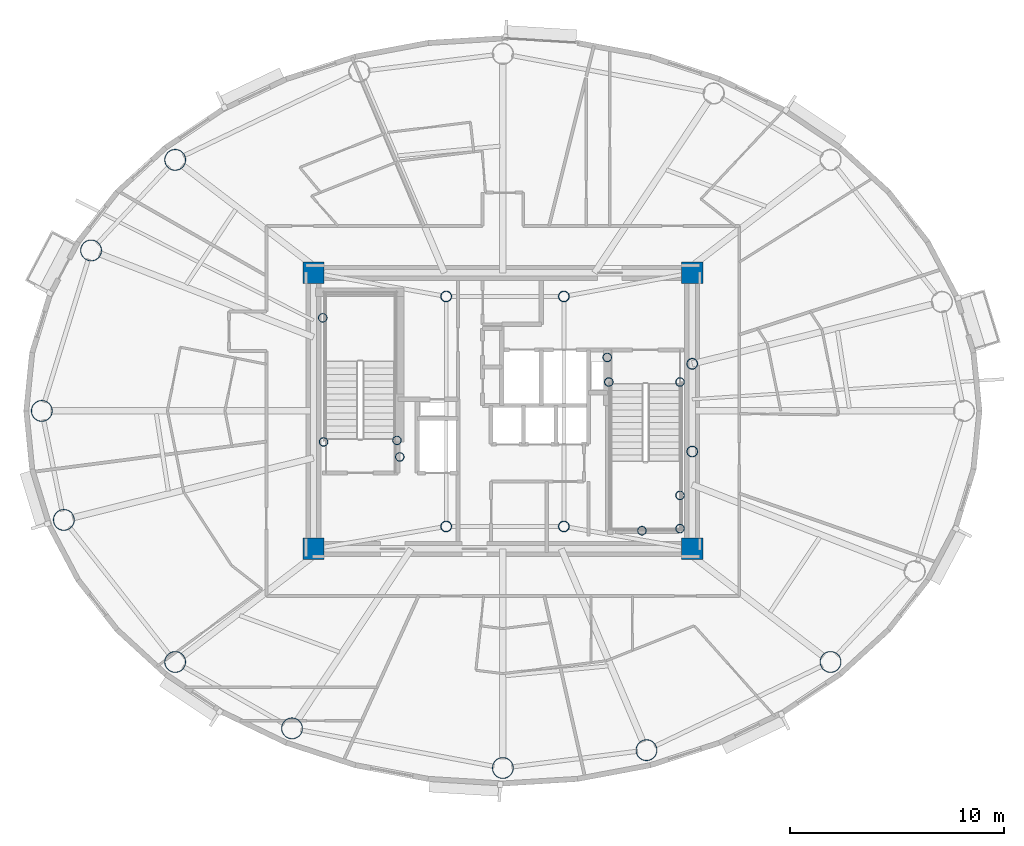
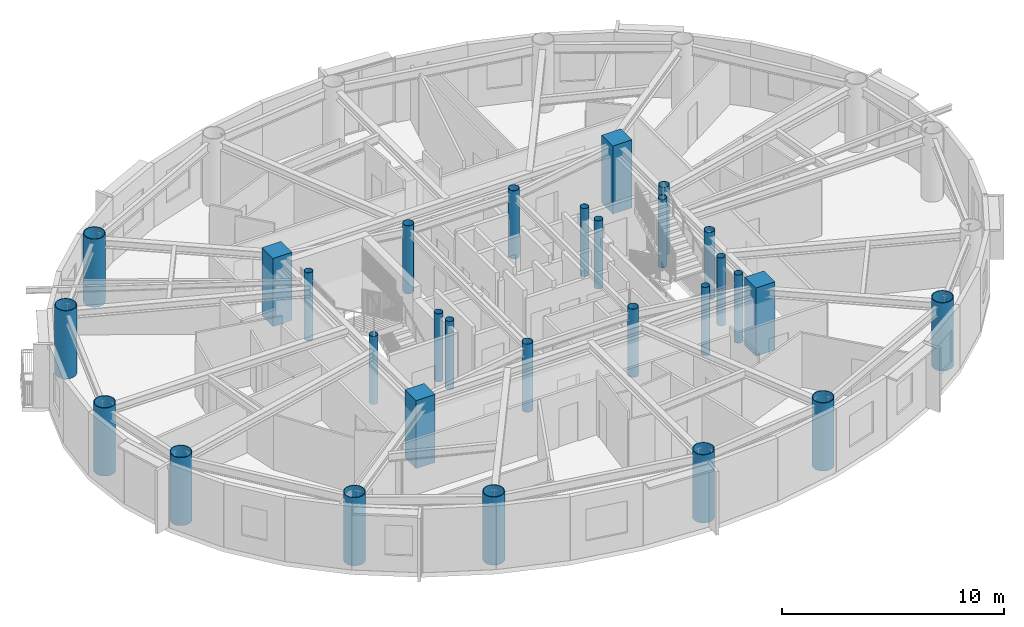
# One storey, part 1 of 18: 29 columns.
"""IFC4 building model written with IfcOpenShell, lengths in metres."""

from ifc_helpers import new_model, si_unit, direction, frame, origin, origin_2d, place, context, subcontext, project, spatial, rectangle, hollow_circle, extrude, material, material_profile, profile_set, type_object, element, save


model = new_model("IFC4")

# Units and contexts
model_context = context("Model", 3, precision=1e-05, world=origin(), true_north=direction((0.0, 1.0)))
body_context = subcontext(model_context, "Body", "Model", "MODEL_VIEW")
ifc_project = project(units=[si_unit("LENGTHUNIT", "METRE"), si_unit("AREAUNIT", "SQUARE_METRE"), si_unit("VOLUMEUNIT", "CUBIC_METRE"), si_unit("PLANEANGLEUNIT", "RADIAN"), si_unit("MASSUNIT", "GRAM", prefix="KILO")], contexts=[model_context])

# Site, building, storey
site_placement = place(None, origin())
site = spatial("IfcSite", under=ifc_project, at=site_placement, CompositionType="ELEMENT")
building_placement = place(site_placement, origin())
building = spatial("IfcBuilding", under=site, at=building_placement, Name="Linh Dai School and Residence Tower", CompositionType="ELEMENT")
storey_placement = place(building_placement, frame((0.0, 0.0, 295.5)))
storey = spatial("IfcBuildingStorey", under=building, at=storey_placement, Name="L73", CompositionType="ELEMENT", Elevation=295.5)

# Columns
ifc_material_1 = material(Name="Concrete B45 (C35/45)", Category="concrete")
ifc_material_profile_1 = material_profile(ifc_material_1, rectangle(XDim=1.0, YDim=1.0, at=origin_2d()), Name="RC 1000x1000")
ifc_profile_set_1 = profile_set([ifc_material_profile_1], Name="Concrete B45 (C35/45)")
column_type_1 = type_object("IfcColumnType", Name="COL-CC3", PredefinedType="COLUMN", material=ifc_profile_set_1)
for number, where, z_axis, x_axis, name in (
    (1, (27.14990234375, 20.550048828125, 0.0), (0.0, 0.0, 1.0), (1.0, 0.0, 0.0), "L73 Core Corner Pier CC1"),
    (2, (44.85009765625, 20.550048828125, 0.0), (0.0, 0.0, 1.0), (1.0, 0.0, 0.0), "L73 Core Corner Pier CC2"),
    (3, (44.85009765625, 33.449951171875, 0.0), (0.0, 0.0, 1.0), (1.0, 0.0, 0.0), "L73 Core Corner Pier CC3"),
    (4, (27.14990234375, 33.449951171875, 0.0), (0.0, 0.0, 1.0), (1.0, 0.0, 0.0), "L73 Core Corner Pier CC4"),
):
    element("IfcColumn", number, at=place(storey_placement, frame(where, z_axis=z_axis, x_axis=x_axis)), inside=storey, type_object=column_type_1, Name=name, PredefinedType="COLUMN", context=body_context, shape_type="SweptSolid", body=[
        extrude(rectangle(XDim=1.0, YDim=1.0, at=origin_2d()), origin(), (0.0, 0.0, 1.0), 3.75),
    ])
ifc_material_2 = material(Name="Structural Steel S355JR", Category="steel")
ifc_material_profile_2 = material_profile(ifc_material_2, hollow_circle(Radius=0.203125, WallThickness=0.01611328125, at=origin_2d()), Name="CHS 406.4x16")
ifc_profile_set_2 = profile_set([ifc_material_profile_2], Name="Structural Steel S355JR")
column_type_2 = type_object("IfcColumnType", Name="COL-EC", PredefinedType="COLUMN", material=ifc_profile_set_2)
for number, where, z_axis, x_axis, name in (
    (5, (27.580078125, 31.35009765625, 0.0), (0.0, 0.0, 1.0), (1.0, 0.0, 0.0), "L73 Stair Shaft Landing Support Pier ST1NW"),
    (6, (31.050048828125, 25.6201171875, 0.0), (0.0, 0.0, 1.0), (1.0, 0.0, 0.0), "L73 Stair Shaft Landing Support Pier ST1SE"),
    (7, (31.179931640625, 24.85009765625, 0.0), (0.0, 0.0, 1.0), (1.0, 0.0, 0.0), "L73 Stair Shaft Landing Support Pier ST1SM"),
    (8, (27.6201171875, 25.550048828125, 0.0), (0.0, 0.0, 1.0), (1.0, 0.0, 0.0), "L73 Stair Shaft Landing Support Pier ST1SW"),
    (9, (44.280029296875, 21.5, 0.0), (0.0, 0.0, 1.0), (1.0, 0.0, 0.0), "L73 Stair Shaft Landing Support Pier ST2SE"),
    (10, (44.280029296875, 23.050048828125, 0.0), (0.0, 0.0, 1.0), (1.0, 0.0, 0.0), "L73 Stair Shaft Landing Support Pier ST2NE"),
    (11, (42.5, 21.39990234375, 0.0), (0.0, 0.0, 1.0), (1.0, 0.0, 0.0), "L73 Stair Shaft Landing Support Pier ST2MS"),
    (12, (40.949951171875, 28.35009765625, 0.0), (0.0, 0.0, 1.0), (1.0, 0.0, 0.0), "L73 Stair Shaft Landing Support Pier ST2N1"),
    (13, (44.280029296875, 28.35009765625, 0.0), (0.0, 0.0, 1.0), (1.0, 0.0, 0.0), "L73 Stair Shaft Landing Support Pier ST2N2"),
    (14, (40.8798828125, 29.5, 0.0), (0.0, 0.0, 1.0), (1.0, 0.0, 0.0), "L73 Stair Shaft Landing Support Pier ST2N3"),
):
    element("IfcColumn", number, at=place(storey_placement, frame(where, z_axis=z_axis, x_axis=x_axis)), inside=storey, type_object=column_type_2, Name=name, PredefinedType="COLUMN", context=body_context, shape_type="SweptSolid", body=[
        extrude(hollow_circle(Radius=0.203125, WallThickness=0.01611328125, at=origin_2d()), origin(), (0.0, 0.0, 1.0), 3.75),
    ])
ifc_material_profile_3 = material_profile(ifc_material_2, hollow_circle(Radius=0.5, WallThickness=0.031982421875, at=origin_2d()), Name="CHS 1000x32")
ifc_profile_set_3 = profile_set([ifc_material_profile_3], Name="Structural Steel S355JR")
column_type_3 = type_object("IfcColumnType", Name="COL-MC6", PredefinedType="COLUMN", material=ifc_profile_set_3)
for number, where, z_axis, x_axis, name in (
    (15, (20.684814453125, 38.7333984375, 0.0), (0.0, 0.0, 1.0), (1.0, 0.0, 0.0), "L73 Perimeter CFT Mega-Column MC07"),
    (16, (16.75390625, 34.49951171875, 0.0), (0.0, 0.0, 1.0), (1.0, 0.0, 0.0), "L73 Perimeter CFT Mega-Column MC08"),
    (17, (14.449951171875, 27.0, 0.0), (0.0, 0.0, 1.0), (1.0, 0.0, 0.0), "L73 Perimeter CFT Mega-Column MC09"),
    (18, (15.4814453125, 21.905517578125, 0.0), (0.0, 0.0, 1.0), (1.0, 0.0, 0.0), "L73 Perimeter CFT Mega-Column MC10"),
    (19, (20.684814453125, 15.2666015625, 0.0), (0.0, 0.0, 1.0), (1.0, 0.0, 0.0), "L73 Perimeter CFT Mega-Column MC11"),
    (20, (26.1455078125, 12.1611328125, 0.0), (0.0, 0.0, 1.0), (1.0, 0.0, 0.0), "L73 Perimeter CFT Mega-Column MC12"),
    (21, (36.0, 10.31005859375, 0.0), (0.0, 0.0, 1.0), (1.0, 0.0, 0.0), "L73 Perimeter CFT Mega-Column MC13"),
    (22, (42.71240234375, 11.142333984375, 0.0), (0.0, 0.0, 1.0), (1.0, 0.0, 0.0), "L73 Perimeter CFT Mega-Column MC14"),
    (23, (51.315185546875, 15.2666015625, 0.0), (0.0, 0.0, 1.0), (1.0, 0.0, 0.0), "L73 Perimeter CFT Mega-Column MC15"),
):
    element("IfcColumn", number, at=place(storey_placement, frame(where, z_axis=z_axis, x_axis=x_axis)), inside=storey, type_object=column_type_3, Name=name, PredefinedType="COLUMN", context=body_context, shape_type="SweptSolid", body=[
        extrude(hollow_circle(Radius=0.5, WallThickness=0.031982421875, at=origin_2d()), origin(), (0.0, 0.0, 1.0), 3.75),
    ])
ifc_material_profile_4 = material_profile(ifc_material_2, hollow_circle(Radius=0.25390625, WallThickness=0.02001953125, at=origin_2d()), Name="CHS 508x20")
ifc_profile_set_4 = profile_set([ifc_material_profile_4], Name="Structural Steel S355JR")
column_type_4 = type_object("IfcColumnType", Name="COL-MCP", PredefinedType="COLUMN", material=ifc_profile_set_4)
for number, where, z_axis, x_axis, name in (
    (24, (33.35009765625, 21.60009765625, 0.0), (0.0, 0.0, 1.0), (1.0, 0.0, 0.0), "L73 Core Mast Support Pier MCP1"),
    (25, (38.85009765625, 21.60009765625, 0.0), (0.0, 0.0, 1.0), (1.0, 0.0, 0.0), "L73 Core Mast Support Pier MCP2"),
    (26, (38.85009765625, 32.35009765625, 0.0), (0.0, 0.0, 1.0), (1.0, 0.0, 0.0), "L73 Core Mast Support Pier MCP3"),
    (27, (33.35009765625, 32.35009765625, 0.0), (0.0, 0.0, 1.0), (1.0, 0.0, 0.0), "L73 Core Mast Support Pier MCP4"),
    (28, (44.85009765625, 25.10009765625, 0.0), (0.0, 0.0, 1.0), (1.0, 0.0, 0.0), "L73 Sky-Lounge Core Anchor Pier S"),
    (29, (44.85009765625, 29.199951171875, 0.0), (0.0, 0.0, 1.0), (1.0, 0.0, 0.0), "L73 Sky-Lounge Core Anchor Pier N"),
):
    element("IfcColumn", number, at=place(storey_placement, frame(where, z_axis=z_axis, x_axis=x_axis)), inside=storey, type_object=column_type_4, Name=name, PredefinedType="COLUMN", context=body_context, shape_type="SweptSolid", body=[
        extrude(hollow_circle(Radius=0.25390625, WallThickness=0.02001953125, at=origin_2d()), origin(), (0.0, 0.0, 1.0), 3.75),
    ])

save(model, "model.ifc")
